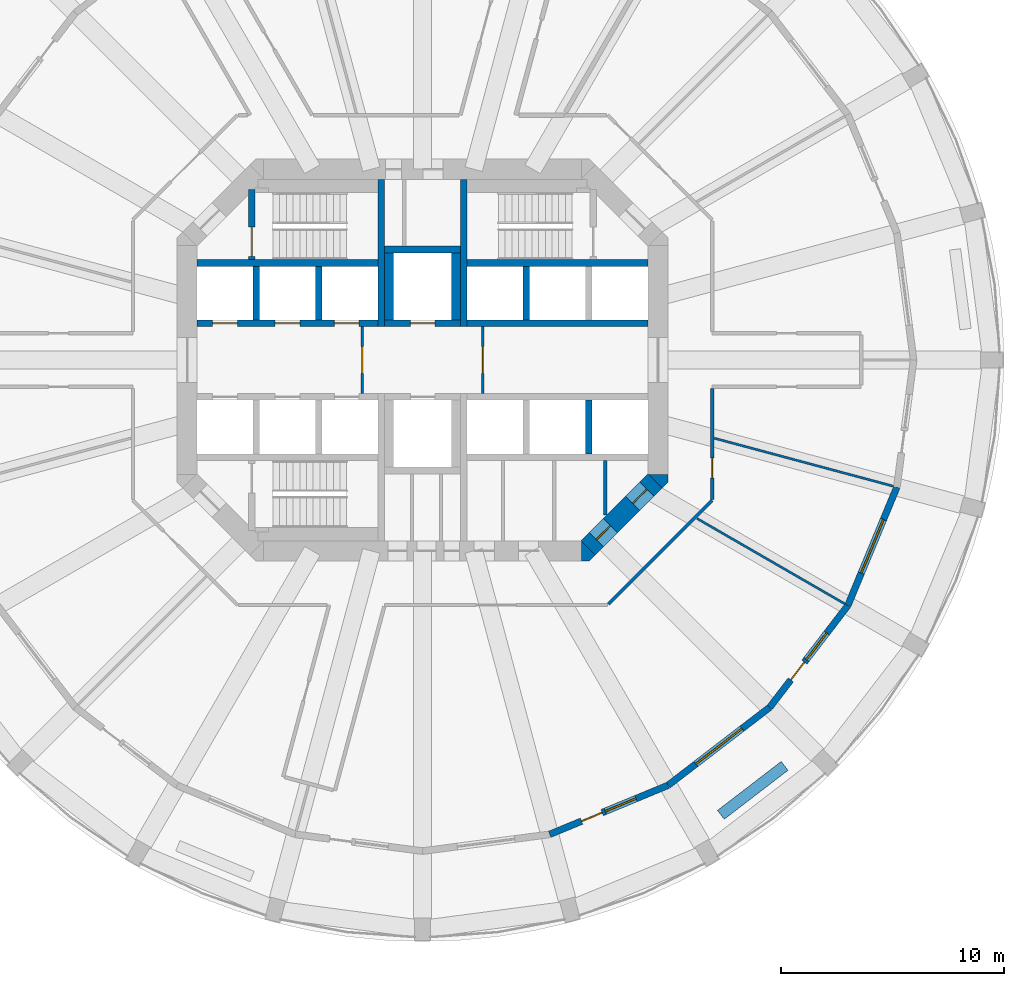
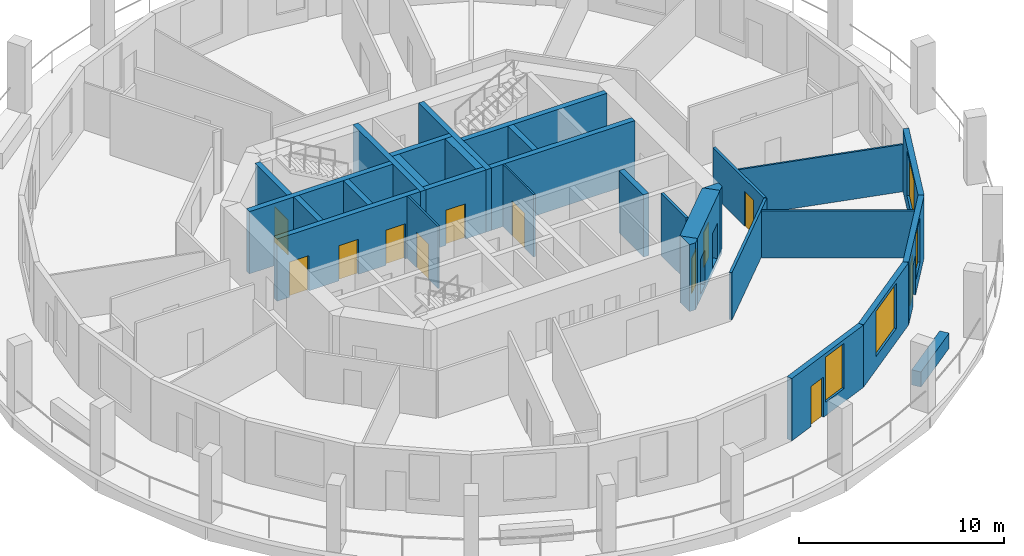
# One storey, part 4 of 9: 30 walls, 12 doors, 4 windows, 16 openings.
"""IFC4 building model written with IfcOpenShell, lengths in metres."""

from ifc_helpers import new_model, si_unit, direction, frame, frame_2d, origin, place, context, subcontext, project, spatial, polyline, rectangle, outline, extrude, material, layer, layer_set, type_object, element, fill, save


model = new_model("IFC4")

# Units and contexts
model_context = context("Model", 3, precision=1e-05, world=origin(), true_north=direction((0.0, 1.0)))
body_context = subcontext(model_context, "Body", "Model", "MODEL_VIEW")
ifc_project = project(units=[si_unit("LENGTHUNIT", "METRE"), si_unit("AREAUNIT", "SQUARE_METRE"), si_unit("VOLUMEUNIT", "CUBIC_METRE"), si_unit("PLANEANGLEUNIT", "RADIAN"), si_unit("MASSUNIT", "GRAM", prefix="KILO")], contexts=[model_context])

# Site, building, storey
site_placement = place(None, origin())
site = spatial("IfcSite", under=ifc_project, at=site_placement, CompositionType="ELEMENT")
building_placement = place(site_placement, origin())
building = spatial("IfcBuilding", under=site, at=building_placement, Name="Torre Triforio", CompositionType="ELEMENT")
storey_placement = place(building_placement, frame((0.0, 0.0, 98.60009765625)))
storey = spatial("IfcBuildingStorey", under=building, at=storey_placement, Name="L21", CompositionType="ELEMENT", Elevation=98.60009765625)

# Walls
ifc_material_1 = material(Name="Concrete C60", Category="concrete")
ifc_layer_1 = layer(ifc_material_1, 0.300048828125)
ifc_layer_set_1 = layer_set([ifc_layer_1], Name="Concrete C60")
wall_type_1 = type_object("IfcWallType", Name="Core wall 300 mm C60 EI 120", PredefinedType="SHEAR", material=ifc_layer_set_1)
for number, where, z_axis, x_axis, name in (
    (1, (-1.85009765625, 1.5, 0.0), (0.0, 0.0, 1.0), (0.0, 1.0, 0.0), "Core wall"),
    (2, (1.85009765625, 1.5, 0.0), (0.0, 0.0, 1.0), (0.0, 1.0, 0.0), "Core wall"),
):
    element("IfcWall", number, at=place(storey_placement, frame(where, z_axis=z_axis, x_axis=x_axis)), inside=storey, type_object=wall_type_1, Name=name, PredefinedType="SHEAR", context=body_context, shape_type="SweptSolid", body=[
        extrude(rectangle(XDim=6.60009765625, YDim=0.300048828125, at=frame_2d((3.300048828125, 0.0))), origin(), (0.0, 0.0, 1.0), 3.719970703125),
    ])

# Wall, openings, doors
ifc_layer_2 = layer(ifc_material_1, 0.89990234375)
ifc_layer_set_2 = layer_set([ifc_layer_2], Name="Concrete C60")
wall_type_2 = type_object("IfcWallType", Name="Core wall 900 mm C60 EI 120", PredefinedType="SHEAR", material=ifc_layer_set_2)
wall_1_placement = place(storey_placement, frame((10.418212890625, -5.418212890625, -0.280029296875), z_axis=(0.0, 0.0, 1.0), x_axis=(-0.707106781187, -0.707106781187, 0.0)))
wall_1 = element("IfcWall", 3, at=wall_1_placement, inside=storey, type_object=wall_type_2, Name="Core wall", PredefinedType="SHEAR", context=body_context, shape_type="SweptSolid", body=[
    extrude(rectangle(XDim=4.24267578125, YDim=0.89990234375, at=frame_2d((2.121337890625, 0.0))), origin(), (0.0, 0.0, 1.0), 4.0),
])
opening_1_placement = place(wall_1_placement, frame((2.82275390625, 0.0, 0.280029296875)))
opening_1 = element("IfcOpeningElement", 4, at=opening_1_placement, cuts=wall_1, Name="Opening SE-03", PredefinedType="OPENING", context=body_context, shape_type="SweptSolid", body=[
    extrude(rectangle(XDim=0.89990234375, YDim=2.10009765625, at=frame_2d((0.449951171875, 1.050048828125))), frame((0.0, 0.4599609375, 0.0), z_axis=(0.0, -1.0, 0.0), x_axis=(1.0, 0.0, 0.0)), (0.0, 0.0, 1.0), 0.919921875),
])
opening_2_placement = place(wall_1_placement, frame((0.52001953125, 0.0, 0.280029296875)))
opening_2 = element("IfcOpeningElement", 5, at=opening_2_placement, cuts=wall_1, Name="Opening SE-04", PredefinedType="OPENING", context=body_context, shape_type="SweptSolid", body=[
    extrude(rectangle(XDim=0.89990234375, YDim=2.10009765625, at=frame_2d((0.449951171875, 1.050048828125))), frame((0.0, 0.4599609375, 0.0), z_axis=(0.0, -1.0, 0.0), x_axis=(1.0, 0.0, 0.0)), (0.0, 0.0, 1.0), 0.919921875),
])
ifc_material_2 = material(Name="Hollow metal fire door leaf")
door_type_1 = type_object("IfcDoorType", Name="Room door 900 x 2100 EI 60", OperationType="NOTDEFINED", PredefinedType="DOOR", material=ifc_material_2)
door_1_placement = place(opening_1_placement, origin())
door_1 = element("IfcDoor", 6, at=door_1_placement, inside=storey, type_object=door_type_1, Name="Core door SE-03", OperationType="SINGLE_SWING_RIGHT", OverallHeight=2.10009765625, OverallWidth=0.89990234375, PredefinedType="DOOR", context=body_context, shape_type="SweptSolid", body=[
    extrude(rectangle(XDim=0.89990234375, YDim=2.10009765625, at=frame_2d((0.449951171875, 1.050048828125))), frame((0.0, 0.02490234375, 0.0), z_axis=(0.0, -1.0, 0.0), x_axis=(1.0, 0.0, 0.0)), (0.0, 0.0, 1.0), 0.050048828125),
])
fill(opening_1, door_1)
door_2_placement = place(opening_2_placement, origin())
door_2 = element("IfcDoor", 7, at=door_2_placement, inside=storey, type_object=door_type_1, Name="Core door SE-04", OperationType="SINGLE_SWING_LEFT", OverallHeight=2.10009765625, OverallWidth=0.89990234375, PredefinedType="DOOR", context=body_context, shape_type="SweptSolid", body=[
    extrude(rectangle(XDim=0.89990234375, YDim=2.10009765625, at=frame_2d((0.449951171875, 1.050048828125))), frame((0.0, 0.02490234375, 0.0), z_axis=(0.0, -1.0, 0.0), x_axis=(1.0, 0.0, 0.0)), (0.0, 0.0, 1.0), 0.050048828125),
])
fill(opening_2, door_2)

# Walls
wall_2_placement = place(storey_placement, frame((0.0, 0.0, -0.280029296875)))
element("IfcWall", 8, at=wall_2_placement, inside=storey, type_object=wall_type_2, Name="Core wall", PredefinedType="SHEAR", context=body_context, shape_type="SweptSolid", body=[
    extrude(outline(polyline([(7.472900390625, -9.0), (7.1298828125, -9.0), (7.1298828125, -8.1298828125), (7.736328125, -8.736328125), (7.472900390625, -9.0)])), origin(), (0.0, 0.0, 1.0), 4.0),
])
wall_3_placement = place(storey_placement, frame((0.0, 0.0, -0.280029296875)))
element("IfcWall", 9, at=wall_3_placement, inside=storey, type_object=wall_type_2, Name="Core wall", PredefinedType="SHEAR", context=body_context, shape_type="SweptSolid", body=[
    extrude(outline(polyline([(11.0, -5.472900390625), (10.736328125, -5.736328125), (10.1298828125, -5.1298828125), (11.0, -5.1298828125), (11.0, -5.472900390625)])), origin(), (0.0, 0.0, 1.0), 4.0),
])

# Wall, opening, door
ifc_material_3 = material(Name="Plasterboard on metal studs")
ifc_layer_3 = layer(ifc_material_3, 0.14990234375)
ifc_layer_set_3 = layer_set([ifc_layer_3], Name="Plasterboard on metal studs")
wall_type_3 = type_object("IfcWallType", Name="Corridor and tenancy wall 150 mm EI 60", PredefinedType="PARTITIONING", material=ifc_layer_set_3)
wall_4_placement = place(storey_placement, frame((12.97509765625, -1.27490234375, 0.0), z_axis=(0.0, 0.0, 1.0), x_axis=(0.0, -1.0, 0.0)))
wall_4 = element("IfcWall", 10, at=wall_4_placement, inside=storey, type_object=wall_type_3, Name="Partition 24", PredefinedType="PARTITIONING", context=body_context, shape_type="SweptSolid", body=[
    extrude(rectangle(XDim=4.96337890625, YDim=0.14990234375, at=frame_2d((2.481689453125, 0.0))), origin(), (0.0, 0.0, 1.0), 2.81982421875),
])
opening_3_placement = place(wall_4_placement, frame((3.107421875, 0.0, 0.0)))
opening_3 = element("IfcOpeningElement", 11, at=opening_3_placement, cuts=wall_4, Name="Opening N7-07", PredefinedType="OPENING", context=body_context, shape_type="SweptSolid", body=[
    extrude(rectangle(XDim=0.89990234375, YDim=2.10009765625, at=frame_2d((0.449951171875, 1.050048828125))), frame((0.0, 0.0849609375, 0.0), z_axis=(0.0, -1.0, 0.0), x_axis=(1.0, 0.0, 0.0)), (0.0, 0.0, 1.0), 0.169921875),
])
ifc_material_4 = material(Name="Timber", Category="wood")
door_type_2 = type_object("IfcDoorType", Name="Door 900 x 2100 single leaf EI 30", OperationType="NOTDEFINED", PredefinedType="DOOR", material=ifc_material_4)
door_3_placement = place(opening_3_placement, origin())
door_3 = element("IfcDoor", 12, at=door_3_placement, inside=storey, type_object=door_type_2, Name="Door N7-07", OperationType="SINGLE_SWING_LEFT", OverallHeight=2.10009765625, OverallWidth=0.89990234375, PredefinedType="DOOR", context=body_context, shape_type="SweptSolid", body=[
    extrude(rectangle(XDim=0.89990234375, YDim=2.10009765625, at=frame_2d((0.449951171875, 1.050048828125))), frame((0.0, 0.02490234375, 0.0), z_axis=(0.0, -1.0, 0.0), x_axis=(1.0, 0.0, 0.0)), (0.0, 0.0, 1.0), 0.050048828125),
])
fill(opening_3, door_3)

# Wall
wall_5_placement = place(storey_placement, frame((12.97509765625, -6.291015625, 0.0), z_axis=(0.0, 0.0, 1.0), x_axis=(-0.707125355289, -0.707088206597, 0.0)))
element("IfcWall", 13, at=wall_5_placement, inside=storey, type_object=wall_type_3, Name="Partition 25", PredefinedType="PARTITIONING", context=body_context, shape_type="SweptSolid", body=[
    extrude(rectangle(XDim=6.572021484375, YDim=0.14990234375, at=frame_2d((3.2861328125, 0.0))), origin(), (0.0, 0.0, 1.0), 2.81982421875),
])

# Wall, opening, door
ifc_material_5 = material(Name="Block and board partition")
ifc_layer_4 = layer(ifc_material_5, 0.10009765625)
ifc_layer_set_4 = layer_set([ifc_layer_4], Name="Block and board partition")
wall_type_4 = type_object("IfcWallType", Name="Partition 100 mm EI 120", PredefinedType="PARTITIONING", material=ifc_layer_set_4)
wall_6_placement = place(storey_placement, frame((-2.699951171875, -1.5, 0.0), z_axis=(0.0, 0.0, 1.0), x_axis=(0.0, 1.0, 0.0)))
wall_6 = element("IfcWall", 14, at=wall_6_placement, inside=storey, type_object=wall_type_4, Name="Partition", PredefinedType="PARTITIONING", context=body_context, shape_type="SweptSolid", body=[
    extrude(rectangle(XDim=3.0, YDim=0.10009765625, at=frame_2d((1.5, 0.0))), origin(), (0.0, 0.0, 1.0), 3.719970703125),
])
opening_4_placement = place(wall_6_placement, frame((0.89990234375, 0.0, 0.0)))
opening_4 = element("IfcOpeningElement", 15, at=opening_4_placement, cuts=wall_6, Name="Opening FF-W", PredefinedType="OPENING", context=body_context, shape_type="SweptSolid", body=[
    extrude(rectangle(XDim=1.199951171875, YDim=2.10009765625, at=frame_2d((0.60009765625, 1.050048828125))), frame((0.0, 0.06005859375, 0.0), z_axis=(0.0, -1.0, 0.0), x_axis=(1.0, 0.0, 0.0)), (0.0, 0.0, 1.0), 0.1201171875),
])
door_type_3 = type_object("IfcDoorType", Name="Fire-fighting lobby door 1200 x 2100 EI 60", OperationType="NOTDEFINED", PredefinedType="DOOR", material=ifc_material_2)
door_4_placement = place(opening_4_placement, origin())
door_4 = element("IfcDoor", 16, at=door_4_placement, inside=storey, type_object=door_type_3, Name="Core door FF-W", OperationType="SINGLE_SWING_LEFT", OverallHeight=2.10009765625, OverallWidth=1.199951171875, PredefinedType="DOOR", context=body_context, shape_type="SweptSolid", body=[
    extrude(rectangle(XDim=1.199951171875, YDim=2.10009765625, at=frame_2d((0.60009765625, 1.050048828125))), frame((0.0, 0.02490234375, 0.0), z_axis=(0.0, -1.0, 0.0), x_axis=(1.0, 0.0, 0.0)), (0.0, 0.0, 1.0), 0.050048828125),
])
fill(opening_4, door_4)

wall_7_placement = place(storey_placement, frame((2.699951171875, -1.5, 0.0), z_axis=(0.0, 0.0, 1.0), x_axis=(0.0, 1.0, 0.0)))
wall_7 = element("IfcWall", 17, at=wall_7_placement, inside=storey, type_object=wall_type_4, Name="Partition", PredefinedType="PARTITIONING", context=body_context, shape_type="SweptSolid", body=[
    extrude(rectangle(XDim=3.0, YDim=0.10009765625, at=frame_2d((1.5, 0.0))), origin(), (0.0, 0.0, 1.0), 3.719970703125),
])
opening_5_placement = place(wall_7_placement, frame((0.89990234375, 0.0, 0.0)))
opening_5 = element("IfcOpeningElement", 18, at=opening_5_placement, cuts=wall_7, Name="Opening FF-E", PredefinedType="OPENING", context=body_context, shape_type="SweptSolid", body=[
    extrude(rectangle(XDim=1.199951171875, YDim=2.10009765625, at=frame_2d((0.60009765625, 1.050048828125))), frame((0.0, 0.06005859375, 0.0), z_axis=(0.0, -1.0, 0.0), x_axis=(1.0, 0.0, 0.0)), (0.0, 0.0, 1.0), 0.1201171875),
])
door_5_placement = place(opening_5_placement, origin())
door_5 = element("IfcDoor", 19, at=door_5_placement, inside=storey, type_object=door_type_3, Name="Core door FF-E", OperationType="SINGLE_SWING_LEFT", OverallHeight=2.10009765625, OverallWidth=1.199951171875, PredefinedType="DOOR", context=body_context, shape_type="SweptSolid", body=[
    extrude(rectangle(XDim=1.199951171875, YDim=2.10009765625, at=frame_2d((0.60009765625, 1.050048828125))), frame((0.0, 0.02490234375, 0.0), z_axis=(0.0, -1.0, 0.0), x_axis=(1.0, 0.0, 0.0)), (0.0, 0.0, 1.0), 0.050048828125),
])
fill(opening_5, door_5)

# Walls
ifc_layer_5 = layer(ifc_material_3, 0.10009765625)
ifc_layer_set_5 = layer_set([ifc_layer_5], Name="Plasterboard on metal studs")
wall_type_5 = type_object("IfcWallType", Name="Partition 100 mm board on metal studs", PredefinedType="PARTITIONING", material=ifc_layer_set_5)
wall_8_placement = place(storey_placement, frame((12.294189453125, -7.097900390625, 0.0), z_axis=(0.0, 0.0, 1.0), x_axis=(0.866010520791, -0.500025777215, 0.0)))
element("IfcWall", 20, at=wall_8_placement, inside=storey, type_object=wall_type_5, Name="Partition 43", PredefinedType="PARTITIONING", context=body_context, shape_type="SweptSolid", body=[
    extrude(rectangle(XDim=7.640625, YDim=0.10009765625, at=frame_2d((3.8203125, 0.0))), origin(), (0.0, 0.0, 1.0), 2.81982421875),
])
wall_9_placement = place(storey_placement, frame((13.064208984375, -3.50048828125, 0.0), z_axis=(0.0, 0.0, 1.0), x_axis=(0.965920254223, -0.258839839442, 0.0)))
element("IfcWall", 21, at=wall_9_placement, inside=storey, type_object=wall_type_5, Name="Partition 44", PredefinedType="PARTITIONING", context=body_context, shape_type="SweptSolid", body=[
    extrude(rectangle(XDim=8.3115234375, YDim=0.10009765625, at=frame_2d((4.15576171875, 0.0))), origin(), (0.0, 0.0, 1.0), 2.81982421875),
])
ifc_layer_6 = layer(ifc_material_5, 0.14990234375)
ifc_layer_set_6 = layer_set([ifc_layer_6], Name="Block and board partition")
wall_type_6 = type_object("IfcWallType", Name="Partition 150 mm", PredefinedType="PARTITIONING", material=ifc_layer_set_6)
wall_10_placement = place(storey_placement, frame((8.18896484375, -6.93603515625, 0.0), z_axis=(0.0, 0.0, 1.0), x_axis=(0.0, 1.0, 0.0)))
element("IfcWall", 22, at=wall_10_placement, inside=storey, type_object=wall_type_6, Name="Partition", PredefinedType="PARTITIONING", context=body_context, shape_type="SweptSolid", body=[
    extrude(rectangle(XDim=2.43603515625, YDim=0.14990234375, at=frame_2d((1.218017578125, 0.0))), origin(), (0.0, 0.0, 1.0), 3.719970703125),
])
ifc_material_6 = material(Name="Limestone cladding", Category="masonry")
ifc_layer_7 = layer(ifc_material_6, 0.10009765625)
ifc_material_7 = material(Name="Concrete C40", Category="concrete")
ifc_layer_8 = layer(ifc_material_7, 0.39990234375)
ifc_layer_set_7 = layer_set([ifc_layer_7, ifc_layer_8], Name="Limestone cladding / Concrete C40")
wall_type_7 = type_object("IfcWallType", Name="Planter wall 500", PredefinedType="PARAPET", material=ifc_layer_set_7)
wall_11_placement = place(storey_placement, frame((13.364990234375, -20.374267578125, 0.0), z_axis=(0.0, 0.0, 1.0), x_axis=(0.793326845617, 0.608795955984, 0.0)))
element("IfcWall", 23, at=wall_11_placement, inside=storey, type_object=wall_type_7, Name="Planter L21 bay 21", PredefinedType="PARAPET", context=body_context, shape_type="SweptSolid", body=[
    extrude(rectangle(XDim=3.599853515625, YDim=0.5, at=frame_2d((1.7998046875, 0.0))), origin(), (0.0, 0.0, 1.0), 0.89990234375),
])
ifc_layer_9 = layer(ifc_material_1, 0.300048828125)
ifc_layer_set_8 = layer_set([ifc_layer_9], Name="Concrete C60")
wall_type_8 = type_object("IfcWallType", Name="Shaft wall 300 mm C60 EI 120", PredefinedType="SOLIDWALL", material=ifc_layer_set_8)
for number, where, z_axis, x_axis, name in (
    (24, (-10.10009765625, 4.35009765625, 0.0), (0.0, 0.0, 1.0), (1.0, 0.0, 0.0), "Shaft wall"),
    (25, (2.0, 4.35009765625, 0.0), (0.0, 0.0, 1.0), (1.0, 0.0, 0.0), "Shaft wall"),
):
    element("IfcWall", number, at=place(storey_placement, frame(where, z_axis=z_axis, x_axis=x_axis)), inside=storey, type_object=wall_type_8, Name=name, PredefinedType="SOLIDWALL", context=body_context, shape_type="SweptSolid", body=[
        extrude(rectangle(XDim=8.10009765625, YDim=0.300048828125, at=frame_2d((4.050048828125, 0.0))), origin(), (0.0, 0.0, 1.0), 3.719970703125),
    ])

# Wall, openings, doors
wall_12_placement = place(storey_placement, frame((-10.10009765625, 1.64990234375, 0.0), z_axis=(0.0, 0.0, 1.0), x_axis=(1.0, 0.0, 0.0)))
wall_12 = element("IfcWall", 26, at=wall_12_placement, inside=storey, type_object=wall_type_8, Name="Shaft wall", PredefinedType="SOLIDWALL", context=body_context, shape_type="SweptSolid", body=[
    extrude(rectangle(XDim=8.10009765625, YDim=0.300048828125, at=frame_2d((4.050048828125, 0.0))), origin(), (0.0, 0.0, 1.0), 3.719970703125),
])
opening_6_placement = place(wall_12_placement, frame((0.699951171875, 0.0, 0.0)))
opening_6 = element("IfcOpeningElement", 27, at=opening_6_placement, cuts=wall_12, Name="Opening LD", PredefinedType="OPENING", context=body_context, shape_type="SweptSolid", body=[
    extrude(rectangle(XDim=1.10009765625, YDim=2.10009765625, at=frame_2d((0.550048828125, 1.050048828125))), frame((0.0, 0.159912109375, 0.0), z_axis=(0.0, -1.0, 0.0), x_axis=(1.0, 0.0, 0.0)), (0.0, 0.0, 1.0), 0.320068359375),
])
opening_7_placement = place(wall_12_placement, frame((3.5, 0.0, 0.0)))
opening_7 = element("IfcOpeningElement", 28, at=opening_7_placement, cuts=wall_12, Name="Opening LD", PredefinedType="OPENING", context=body_context, shape_type="SweptSolid", body=[
    extrude(rectangle(XDim=1.10009765625, YDim=2.10009765625, at=frame_2d((0.550048828125, 1.050048828125))), frame((0.0, 0.159912109375, 0.0), z_axis=(0.0, -1.0, 0.0), x_axis=(1.0, 0.0, 0.0)), (0.0, 0.0, 1.0), 0.320068359375),
])
opening_8_placement = place(wall_12_placement, frame((6.14990234375, 0.0, 0.0)))
opening_8 = element("IfcOpeningElement", 29, at=opening_8_placement, cuts=wall_12, Name="Opening LD", PredefinedType="OPENING", context=body_context, shape_type="SweptSolid", body=[
    extrude(rectangle(XDim=1.10009765625, YDim=2.10009765625, at=frame_2d((0.550048828125, 1.050048828125))), frame((0.0, 0.159912109375, 0.0), z_axis=(0.0, -1.0, 0.0), x_axis=(1.0, 0.0, 0.0)), (0.0, 0.0, 1.0), 0.320068359375),
])
door_type_4 = type_object("IfcDoorType", Name="Landing door 1100 x 2100 EI 60", OperationType="DOUBLE_DOOR_SLIDING", PredefinedType="DOOR", material=ifc_material_2)
door_6_placement = place(opening_6_placement, origin())
door_6 = element("IfcDoor", 30, at=door_6_placement, inside=storey, type_object=door_type_4, Name="Landing door LR1", OperationType="DOUBLE_DOOR_SLIDING", OverallHeight=2.10009765625, OverallWidth=1.10009765625, PredefinedType="DOOR", context=body_context, shape_type="SweptSolid", body=[
    extrude(rectangle(XDim=1.10009765625, YDim=2.10009765625, at=frame_2d((0.550048828125, 1.050048828125))), frame((0.0, 0.02490234375, 0.0), z_axis=(0.0, -1.0, 0.0), x_axis=(1.0, 0.0, 0.0)), (0.0, 0.0, 1.0), 0.050048828125),
])
fill(opening_6, door_6)
door_7_placement = place(opening_7_placement, origin())
door_7 = element("IfcDoor", 31, at=door_7_placement, inside=storey, type_object=door_type_4, Name="Landing door LR2", OperationType="DOUBLE_DOOR_SLIDING", OverallHeight=2.10009765625, OverallWidth=1.10009765625, PredefinedType="DOOR", context=body_context, shape_type="SweptSolid", body=[
    extrude(rectangle(XDim=1.10009765625, YDim=2.10009765625, at=frame_2d((0.550048828125, 1.050048828125))), frame((0.0, 0.02490234375, 0.0), z_axis=(0.0, -1.0, 0.0), x_axis=(1.0, 0.0, 0.0)), (0.0, 0.0, 1.0), 0.050048828125),
])
fill(opening_7, door_7)
door_8_placement = place(opening_8_placement, origin())
door_8 = element("IfcDoor", 32, at=door_8_placement, inside=storey, type_object=door_type_4, Name="Landing door LR3", OperationType="DOUBLE_DOOR_SLIDING", OverallHeight=2.10009765625, OverallWidth=1.10009765625, PredefinedType="DOOR", context=body_context, shape_type="SweptSolid", body=[
    extrude(rectangle(XDim=1.10009765625, YDim=2.10009765625, at=frame_2d((0.550048828125, 1.050048828125))), frame((0.0, 0.02490234375, 0.0), z_axis=(0.0, -1.0, 0.0), x_axis=(1.0, 0.0, 0.0)), (0.0, 0.0, 1.0), 0.050048828125),
])
fill(opening_8, door_8)

# Walls
wall_13_placement = place(storey_placement, frame((2.0, 1.64990234375, 0.0), z_axis=(0.0, 0.0, 1.0), x_axis=(1.0, 0.0, 0.0)))
element("IfcWall", 33, at=wall_13_placement, inside=storey, type_object=wall_type_8, Name="Shaft wall", PredefinedType="SOLIDWALL", context=body_context, shape_type="SweptSolid", body=[
    extrude(rectangle(XDim=8.10009765625, YDim=0.300048828125, at=frame_2d((4.050048828125, 0.0))), origin(), (0.0, 0.0, 1.0), 3.719970703125),
])
for number, where, z_axis, x_axis, name in (
    (34, (-7.449951171875, 1.800048828125, 0.0), (0.0, 0.0, 1.0), (0.0, 1.0, 0.0), "Shaft wall"),
    (35, (-4.64990234375, 1.800048828125, 0.0), (0.0, 0.0, 1.0), (0.0, 1.0, 0.0), "Shaft wall"),
    (36, (4.64990234375, 1.800048828125, 0.0), (0.0, 0.0, 1.0), (0.0, 1.0, 0.0), "Shaft wall"),
    (37, (7.449951171875, -4.199951171875, 0.0), (0.0, 0.0, 1.0), (0.0, 1.0, 0.0), "Shaft wall"),
):
    element("IfcWall", number, at=place(storey_placement, frame(where, z_axis=z_axis, x_axis=x_axis)), inside=storey, type_object=wall_type_8, Name=name, PredefinedType="SOLIDWALL", context=body_context, shape_type="SweptSolid", body=[
        extrude(rectangle(XDim=2.39990234375, YDim=0.300048828125, at=frame_2d((1.199951171875, 0.0))), origin(), (0.0, 0.0, 1.0), 3.719970703125),
    ])

# Wall, opening, door
wall_14_placement = place(storey_placement, frame((-1.699951171875, 1.64990234375, 0.0), z_axis=(0.0, 0.0, 1.0), x_axis=(1.0, 0.0, 0.0)))
wall_14 = element("IfcWall", 38, at=wall_14_placement, inside=storey, type_object=wall_type_8, Name="Shaft wall", PredefinedType="SOLIDWALL", context=body_context, shape_type="SweptSolid", body=[
    extrude(rectangle(XDim=3.39990234375, YDim=0.300048828125, at=frame_2d((1.699951171875, 0.0))), origin(), (0.0, 0.0, 1.0), 3.719970703125),
])
opening_9_placement = place(wall_14_placement, frame((1.14990234375, 0.0, 0.0)))
opening_9 = element("IfcOpeningElement", 39, at=opening_9_placement, cuts=wall_14, Name="Opening LD", PredefinedType="OPENING", context=body_context, shape_type="SweptSolid", body=[
    extrude(rectangle(XDim=1.10009765625, YDim=2.10009765625, at=frame_2d((0.550048828125, 1.050048828125))), frame((0.0, 0.159912109375, 0.0), z_axis=(0.0, -1.0, 0.0), x_axis=(1.0, 0.0, 0.0)), (0.0, 0.0, 1.0), 0.320068359375),
])
door_9_placement = place(opening_9_placement, origin())
door_9 = element("IfcDoor", 40, at=door_9_placement, inside=storey, type_object=door_type_4, Name="Landing door FFL1", OperationType="DOUBLE_DOOR_SLIDING", OverallHeight=2.10009765625, OverallWidth=1.10009765625, PredefinedType="DOOR", context=body_context, shape_type="SweptSolid", body=[
    extrude(rectangle(XDim=1.10009765625, YDim=2.10009765625, at=frame_2d((0.550048828125, 1.050048828125))), frame((0.0, 0.02490234375, 0.0), z_axis=(0.0, -1.0, 0.0), x_axis=(1.0, 0.0, 0.0)), (0.0, 0.0, 1.0), 0.050048828125),
])
fill(opening_9, door_9)

# Walls
wall_15_placement = place(storey_placement, frame((-1.699951171875, 4.949951171875, 0.0), z_axis=(0.0, 0.0, 1.0), x_axis=(1.0, 0.0, 0.0)))
element("IfcWall", 41, at=wall_15_placement, inside=storey, type_object=wall_type_8, Name="Shaft wall", PredefinedType="SOLIDWALL", context=body_context, shape_type="SweptSolid", body=[
    extrude(rectangle(XDim=3.39990234375, YDim=0.300048828125, at=frame_2d((1.699951171875, 0.0))), origin(), (0.0, 0.0, 1.0), 3.719970703125),
])
ifc_layer_10 = layer(ifc_material_1, 0.39990234375)
ifc_layer_set_9 = layer_set([ifc_layer_10], Name="Concrete C60")
wall_type_9 = type_object("IfcWallType", Name="Shaft wall 400 mm C60 EI 120", PredefinedType="SOLIDWALL", material=ifc_layer_set_9)
for number, where, z_axis, x_axis, name in (
    (42, (-1.5, 1.800048828125, 0.0), (0.0, 0.0, 1.0), (0.0, 1.0, 0.0), "Shaft wall"),
    (43, (1.5, 1.800048828125, 0.0), (0.0, 0.0, 1.0), (0.0, 1.0, 0.0), "Shaft wall"),
):
    element("IfcWall", number, at=place(storey_placement, frame(where, z_axis=z_axis, x_axis=x_axis)), inside=storey, type_object=wall_type_9, Name=name, PredefinedType="SOLIDWALL", context=body_context, shape_type="SweptSolid", body=[
        extrude(rectangle(XDim=3.0, YDim=0.39990234375, at=frame_2d((1.5, 0.0))), origin(), (0.0, 0.0, 1.0), 3.719970703125),
    ])

# Wall, opening, door
ifc_layer_11 = layer(ifc_material_1, 0.300048828125)
ifc_layer_set_10 = layer_set([ifc_layer_11], Name="Concrete C60")
wall_type_10 = type_object("IfcWallType", Name="Stair wall 300 mm C60 EI 120", PredefinedType="SHEAR", material=ifc_layer_set_10)
wall_16_placement = place(storey_placement, frame((-7.64990234375, 4.5, 0.0), z_axis=(0.0, 0.0, 1.0), x_axis=(0.0, 1.0, 0.0)))
wall_16 = element("IfcWall", 44, at=wall_16_placement, inside=storey, type_object=wall_type_10, Name="Stair wall", PredefinedType="SHEAR", context=body_context, shape_type="SweptSolid", body=[
    extrude(rectangle(XDim=3.139892578125, YDim=0.300048828125, at=frame_2d((1.56982421875, 0.0))), origin(), (0.0, 0.0, 1.0), 3.719970703125),
])
opening_10_placement = place(wall_16_placement, frame((0.139892578125, 0.0, 0.0)))
opening_10 = element("IfcOpeningElement", 45, at=opening_10_placement, cuts=wall_16, Name="Opening ST1-STA", PredefinedType="OPENING", context=body_context, shape_type="SweptSolid", body=[
    extrude(rectangle(XDim=1.320068359375, YDim=2.10009765625, at=frame_2d((0.66015625, 1.050048828125))), frame((0.0, 0.159912109375, 0.0), z_axis=(0.0, -1.0, 0.0), x_axis=(1.0, 0.0, 0.0)), (0.0, 0.0, 1.0), 0.320068359375),
])
door_type_5 = type_object("IfcDoorType", Name="Stair door 1320 x 2100 EI 90", OperationType="DOUBLE_DOOR_SINGLE_SWING", PredefinedType="DOOR", material=ifc_material_2)
door_10_placement = place(opening_10_placement, origin())
door_10 = element("IfcDoor", 46, at=door_10_placement, inside=storey, type_object=door_type_5, Name="Core door ST1-ST", OperationType="DOUBLE_DOOR_SINGLE_SWING", OverallHeight=2.10009765625, OverallWidth=1.320068359375, PredefinedType="DOOR", context=body_context, shape_type="SweptSolid", body=[
    extrude(rectangle(XDim=1.320068359375, YDim=2.10009765625, at=frame_2d((0.66015625, 1.050048828125))), frame((0.0, 0.02490234375, 0.0), z_axis=(0.0, -1.0, 0.0), x_axis=(1.0, 0.0, 0.0)), (0.0, 0.0, 1.0), 0.050048828125),
])
fill(opening_10, door_10)

# Wall, openings, door, window
ifc_layer_12 = layer(ifc_material_6, 0.10009765625)
ifc_layer_13 = layer(ifc_material_7, 0.199951171875)
ifc_layer_set_11 = layer_set([ifc_layer_12, ifc_layer_13], Name="Limestone cladding / Concrete C40")
wall_type_11 = type_object("IfcWallType", Name="Stone-faced composite wall 300", PredefinedType="STANDARD", material=ifc_layer_set_11)
wall_17_placement = place(storey_placement, frame((5.694091796875, -21.25048828125, 0.0), z_axis=(0.0, 0.0, 1.0), x_axis=(0.923866055759, 0.382715966503, 0.0)))
wall_17 = element("IfcWall", 47, at=wall_17_placement, inside=storey, type_object=wall_type_11, Name="External wall L21 bay 20", PredefinedType="STANDARD", context=body_context, shape_type="SweptSolid", body=[
    extrude(rectangle(XDim=5.7431640625, YDim=0.300048828125, at=frame_2d((2.87158203125, 0.0))), origin(), (0.0, 0.0, 1.0), 3.719970703125),
])
opening_11_placement = place(wall_17_placement, frame((1.546630859375, 0.0, 0.0)))
opening_11 = element("IfcOpeningElement", 48, at=opening_11_placement, cuts=wall_17, Name="Opening N7-D20", PredefinedType="OPENING", context=body_context, shape_type="SweptSolid", body=[
    extrude(rectangle(XDim=1.0, YDim=2.39990234375, at=frame_2d((0.5, 1.199951171875))), frame((0.0, 0.159912109375, 0.0), z_axis=(0.0, -1.0, 0.0), x_axis=(1.0, 0.0, 0.0)), (0.0, 0.0, 1.0), 0.320068359375),
])
opening_12_placement = place(wall_17_placement, frame((2.696533203125, 0.0, 0.800048828125)))
opening_12 = element("IfcOpeningElement", 49, at=opening_12_placement, cuts=wall_17, Name="Opening N7-W20A", PredefinedType="OPENING", context=body_context, shape_type="SweptSolid", body=[
    extrude(rectangle(XDim=1.5, YDim=2.699951171875, at=frame_2d((0.75, 1.35009765625))), frame((0.0, 0.159912109375, 0.0), z_axis=(0.0, -1.0, 0.0), x_axis=(1.0, 0.0, 0.0)), (0.0, 0.0, 1.0), 0.320068359375),
])
ifc_material_8 = material(Name="Aluminium frame with clear double glazing", Category="aluminium")
door_type_6 = type_object("IfcDoorType", Name="Loggia door 1000 x 2400", OperationType="NOTDEFINED", PredefinedType="DOOR", material=ifc_material_8)
door_11_placement = place(opening_11_placement, origin())
door_11 = element("IfcDoor", 50, at=door_11_placement, inside=storey, type_object=door_type_6, Name="Loggia door L21 bay 20", OperationType="SINGLE_SWING_LEFT", OverallHeight=2.39990234375, OverallWidth=1.0, PredefinedType="DOOR", context=body_context, shape_type="SweptSolid", body=[
    extrude(rectangle(XDim=1.0, YDim=2.39990234375, at=frame_2d((0.5, 1.199951171875))), frame((0.0, 0.02490234375, 0.0), z_axis=(0.0, -1.0, 0.0), x_axis=(1.0, 0.0, 0.0)), (0.0, 0.0, 1.0), 0.050048828125),
])
fill(opening_11, door_11)
window_type_1 = type_object("IfcWindowType", Name="Side window 1500 x 2700", PartitioningType="SINGLE_PANEL", PredefinedType="WINDOW", material=ifc_material_8)
window_1_placement = place(opening_12_placement, origin())
window_1 = element("IfcWindow", 51, at=window_1_placement, inside=storey, type_object=window_type_1, Name="Side window EWN12 L21 bay 20", OverallHeight=2.699951171875, OverallWidth=1.5, PartitioningType="SINGLE_PANEL", PredefinedType="WINDOW", context=body_context, shape_type="SweptSolid", body=[
    extrude(rectangle(XDim=1.5, YDim=2.699951171875, at=frame_2d((0.75, 1.35009765625))), frame((0.0, 0.030029296875, 0.0), z_axis=(0.0, -1.0, 0.0), x_axis=(1.0, 0.0, 0.0)), (0.0, 0.0, 1.0), 0.06005859375),
])
fill(opening_12, window_1)

# Wall, opening, window
wall_18_placement = place(storey_placement, frame((11.0, -19.052490234375, 0.0), z_axis=(0.0, 0.0, 1.0), x_axis=(0.793366142647, 0.608744744291, 0.0)))
wall_18 = element("IfcWall", 52, at=wall_18_placement, inside=storey, type_object=wall_type_11, Name="External wall L21 bay 21", PredefinedType="STANDARD", context=body_context, shape_type="SweptSolid", body=[
    extrude(rectangle(XDim=5.7431640625, YDim=0.300048828125, at=frame_2d((2.87158203125, 0.0))), origin(), (0.0, 0.0, 1.0), 3.719970703125),
])
opening_13_placement = place(wall_18_placement, frame((1.571533203125, 0.0, 0.800048828125)))
opening_13 = element("IfcOpeningElement", 53, at=opening_13_placement, cuts=wall_18, Name="Opening N7-W21", PredefinedType="OPENING", context=body_context, shape_type="SweptSolid", body=[
    extrude(rectangle(XDim=2.60009765625, YDim=2.699951171875, at=frame_2d((1.300048828125, 1.35009765625))), frame((0.0, 0.159912109375, 0.0), z_axis=(0.0, -1.0, 0.0), x_axis=(1.0, 0.0, 0.0)), (0.0, 0.0, 1.0), 0.320068359375),
])
window_type_2 = type_object("IfcWindowType", Name="Punched window 2600 x 2700", PartitioningType="DOUBLE_PANEL_VERTICAL", PredefinedType="WINDOW", material=ifc_material_8)
window_2_placement = place(opening_13_placement, origin())
window_2 = element("IfcWindow", 54, at=window_2_placement, inside=storey, type_object=window_type_2, Name="Window EWN2 L21 bay 21", OverallHeight=2.699951171875, OverallWidth=2.60009765625, PartitioningType="SINGLE_PANEL", PredefinedType="WINDOW", context=body_context, shape_type="SweptSolid", body=[
    extrude(rectangle(XDim=2.60009765625, YDim=2.699951171875, at=frame_2d((1.300048828125, 1.35009765625))), frame((0.0, 0.030029296875, 0.0), z_axis=(0.0, -1.0, 0.0), x_axis=(1.0, 0.0, 0.0)), (0.0, 0.0, 1.0), 0.06005859375),
])
fill(opening_13, window_2)

# Wall, openings, door, window
wall_19_placement = place(storey_placement, frame((15.556396484375, -15.556396484375, 0.0), z_axis=(0.0, 0.0, 1.0), x_axis=(0.608744744291, 0.793366142647, 0.0)))
wall_19 = element("IfcWall", 55, at=wall_19_placement, inside=storey, type_object=wall_type_11, Name="External wall L21 bay 22", PredefinedType="STANDARD", context=body_context, shape_type="SweptSolid", body=[
    extrude(rectangle(XDim=5.7431640625, YDim=0.300048828125, at=frame_2d((2.87158203125, 0.0))), origin(), (0.0, 0.0, 1.0), 3.719970703125),
])
opening_14_placement = place(wall_19_placement, frame((1.546630859375, 0.0, 0.0)))
opening_14 = element("IfcOpeningElement", 56, at=opening_14_placement, cuts=wall_19, Name="Opening N7-D22", PredefinedType="OPENING", context=body_context, shape_type="SweptSolid", body=[
    extrude(rectangle(XDim=1.0, YDim=2.39990234375, at=frame_2d((0.5, 1.199951171875))), frame((0.0, 0.159912109375, 0.0), z_axis=(0.0, -1.0, 0.0), x_axis=(1.0, 0.0, 0.0)), (0.0, 0.0, 1.0), 0.320068359375),
])
opening_15_placement = place(wall_19_placement, frame((2.696533203125, 0.0, 0.800048828125)))
opening_15 = element("IfcOpeningElement", 57, at=opening_15_placement, cuts=wall_19, Name="Opening N7-W22A", PredefinedType="OPENING", context=body_context, shape_type="SweptSolid", body=[
    extrude(rectangle(XDim=1.5, YDim=2.699951171875, at=frame_2d((0.75, 1.35009765625))), frame((0.0, 0.159912109375, 0.0), z_axis=(0.0, -1.0, 0.0), x_axis=(1.0, 0.0, 0.0)), (0.0, 0.0, 1.0), 0.320068359375),
])
door_12_placement = place(opening_14_placement, origin())
door_12 = element("IfcDoor", 58, at=door_12_placement, inside=storey, type_object=door_type_6, Name="Loggia door L21 bay 22", OperationType="SINGLE_SWING_LEFT", OverallHeight=2.39990234375, OverallWidth=1.0, PredefinedType="DOOR", context=body_context, shape_type="SweptSolid", body=[
    extrude(rectangle(XDim=1.0, YDim=2.39990234375, at=frame_2d((0.5, 1.199951171875))), frame((0.0, 0.02490234375, 0.0), z_axis=(0.0, -1.0, 0.0), x_axis=(1.0, 0.0, 0.0)), (0.0, 0.0, 1.0), 0.050048828125),
])
fill(opening_14, door_12)
window_3_placement = place(opening_15_placement, origin())
window_3 = element("IfcWindow", 59, at=window_3_placement, inside=storey, type_object=window_type_1, Name="Side window EWN12 L21 bay 22", OverallHeight=2.699951171875, OverallWidth=1.5, PartitioningType="SINGLE_PANEL", PredefinedType="WINDOW", context=body_context, shape_type="SweptSolid", body=[
    extrude(rectangle(XDim=1.5, YDim=2.699951171875, at=frame_2d((0.75, 1.35009765625))), frame((0.0, 0.030029296875, 0.0), z_axis=(0.0, -1.0, 0.0), x_axis=(1.0, 0.0, 0.0)), (0.0, 0.0, 1.0), 0.06005859375),
])
fill(opening_15, window_3)

# Wall, opening, window
wall_20_placement = place(storey_placement, frame((19.052490234375, -11.0, 0.0), z_axis=(0.0, 0.0, 1.0), x_axis=(0.382715966503, 0.923866055759, 0.0)))
wall_20 = element("IfcWall", 60, at=wall_20_placement, inside=storey, type_object=wall_type_11, Name="External wall L21 bay 23", PredefinedType="STANDARD", context=body_context, shape_type="SweptSolid", body=[
    extrude(rectangle(XDim=5.7431640625, YDim=0.300048828125, at=frame_2d((2.87158203125, 0.0))), origin(), (0.0, 0.0, 1.0), 3.719970703125),
])
opening_16_placement = place(wall_20_placement, frame((1.571533203125, 0.0, 0.800048828125)))
opening_16 = element("IfcOpeningElement", 61, at=opening_16_placement, cuts=wall_20, Name="Opening N7-W23", PredefinedType="OPENING", context=body_context, shape_type="SweptSolid", body=[
    extrude(rectangle(XDim=2.60009765625, YDim=2.699951171875, at=frame_2d((1.300048828125, 1.35009765625))), frame((0.0, 0.159912109375, 0.0), z_axis=(0.0, -1.0, 0.0), x_axis=(1.0, 0.0, 0.0)), (0.0, 0.0, 1.0), 0.320068359375),
])
window_4_placement = place(opening_16_placement, origin())
window_4 = element("IfcWindow", 62, at=window_4_placement, inside=storey, type_object=window_type_2, Name="Window EWN2 L21 bay 23", OverallHeight=2.699951171875, OverallWidth=2.60009765625, PartitioningType="SINGLE_PANEL", PredefinedType="WINDOW", context=body_context, shape_type="SweptSolid", body=[
    extrude(rectangle(XDim=2.60009765625, YDim=2.699951171875, at=frame_2d((1.300048828125, 1.35009765625))), frame((0.0, 0.030029296875, 0.0), z_axis=(0.0, -1.0, 0.0), x_axis=(1.0, 0.0, 0.0)), (0.0, 0.0, 1.0), 0.06005859375),
])
fill(opening_16, window_4)

save(model, "model.ifc")
